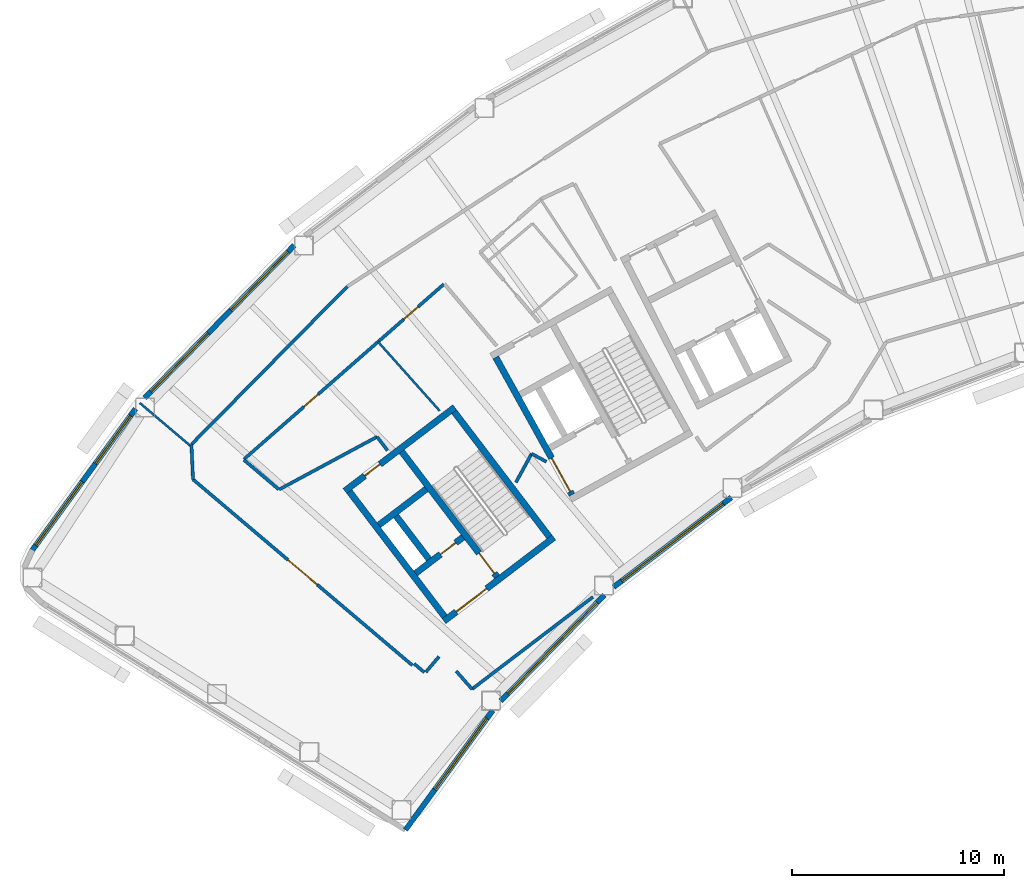
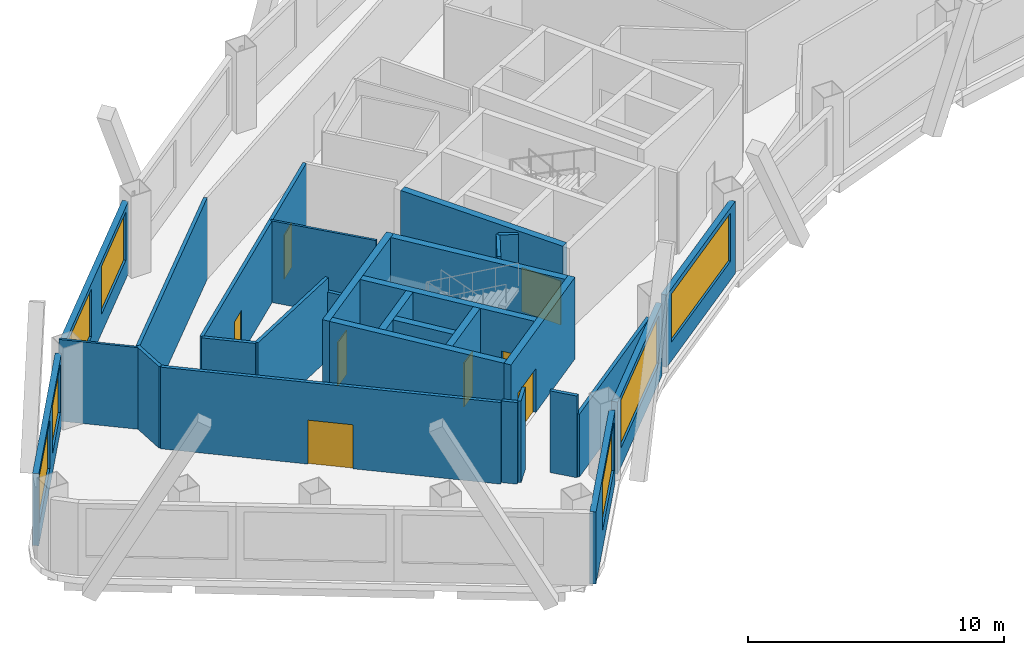
# One storey, part 5 of 15: 29 walls, 8 doors, 7 windows, 15 openings.
"""IFC4 building model written with IfcOpenShell, lengths in metres."""

from ifc_helpers import new_model, si_unit, direction, frame, frame_2d, origin, place, context, subcontext, project, spatial, rectangle, extrude, material, layer, layer_set, type_object, element, fill, save


model = new_model("IFC4")

# Units and contexts
model_context = context("Model", 3, precision=1e-05, world=origin(), true_north=direction((0.0, 1.0)))
body_context = subcontext(model_context, "Body", "Model", "MODEL_VIEW")
ifc_project = project(units=[si_unit("LENGTHUNIT", "METRE"), si_unit("AREAUNIT", "SQUARE_METRE"), si_unit("VOLUMEUNIT", "CUBIC_METRE"), si_unit("PLANEANGLEUNIT", "RADIAN"), si_unit("MASSUNIT", "GRAM", prefix="KILO")], contexts=[model_context])

# Site, building, storey
site_placement = place(None, origin())
site = spatial("IfcSite", under=ifc_project, at=site_placement, CompositionType="ELEMENT")
building_placement = place(site_placement, origin())
building = spatial("IfcBuilding", under=site, at=building_placement, Name="Tuul Gate Civic Tower", CompositionType="ELEMENT")
storey_placement = place(building_placement, frame((0.0, 0.0, 226.300048828125)))
storey = spatial("IfcBuildingStorey", under=building, at=storey_placement, Name="Level 51", CompositionType="ELEMENT", Elevation=226.300048828125)

# Wall, opening, door
ifc_material_1 = material(Name="Concrete C50/60", Category="concrete")
ifc_layer_1 = layer(ifc_material_1, 0.300048828125)
ifc_layer_set_1 = layer_set([ifc_layer_1], Name="Concrete C50/60")
wall_type_1 = type_object("IfcWallType", Name="Core wall C50/60", PredefinedType="SHEAR", material=ifc_layer_set_1)
wall_1_placement = place(storey_placement, frame((-31.19091796875, -13.669677734375, 0.0), z_axis=(0.0, 0.0, 1.0), x_axis=(-0.795606717756, -0.605813461934, 0.0)))
wall_1 = element("IfcWall", 1, at=wall_1_placement, inside=storey, type_object=wall_type_1, Name="Core wall", PredefinedType="SHEAR", context=body_context, shape_type="SweptSolid", body=[
    extrude(rectangle(XDim=6.5, YDim=0.300048828125, at=frame_2d((3.25, 0.0))), origin(), (0.0, 0.0, 1.0), 3.89990234375),
])
opening_1_placement = place(wall_1_placement, frame((3.97509765625, 0.0, 0.0)))
opening_1 = element("IfcOpeningElement", 2, at=opening_1_placement, cuts=wall_1, Name="Opening LB-W1-LOBBY-1", PredefinedType="OPENING", context=body_context, shape_type="SweptSolid", body=[
    extrude(rectangle(XDim=1.800048828125, YDim=2.10009765625, at=frame_2d((0.89990234375, 1.050048828125))), frame((0.0, 0.16015625, 0.0), z_axis=(0.0, -1.0, 0.0), x_axis=(1.0, 0.0, 0.0)), (0.0, 0.0, 1.0), 0.320068359375),
])
ifc_material_2 = material(Name="Steel", Category="steel")
door_type_1 = type_object("IfcDoorType", Name="Lobby door", OperationType="DOUBLE_DOOR_SINGLE_SWING", PredefinedType="DOOR", material=ifc_material_2)
door_1_placement = place(opening_1_placement, origin())
door_1 = element("IfcDoor", 3, at=door_1_placement, inside=storey, type_object=door_type_1, Name="Lobby door W1-LOBBY", OperationType="DOUBLE_DOOR_SINGLE_SWING", OverallHeight=2.10009765625, OverallWidth=1.800048828125, PredefinedType="DOOR", context=body_context, shape_type="SweptSolid", body=[
    extrude(rectangle(XDim=1.800048828125, YDim=2.10009765625, at=frame_2d((0.89990234375, 1.050048828125))), frame((0.0, 0.02490234375, 0.0), z_axis=(0.0, -1.0, 0.0), x_axis=(1.0, 0.0, 0.0)), (0.0, 0.0, 1.0), 0.050048828125),
])
fill(opening_1, door_1)

wall_2_placement = place(storey_placement, frame((-35.470947265625, -13.66064453125, 0.0), z_axis=(0.0, 0.0, 1.0), x_axis=(-0.795615822227, -0.605801504968, 0.0)))
wall_2 = element("IfcWall", 4, at=wall_2_placement, inside=storey, type_object=wall_type_1, Name="Core wall", PredefinedType="SHEAR", context=body_context, shape_type="SweptSolid", body=[
    extrude(rectangle(XDim=2.800048828125, YDim=0.300048828125, at=frame_2d((1.39990234375, 0.0))), origin(), (0.0, 0.0, 1.0), 3.89990234375),
])
opening_2_placement = place(wall_2_placement, frame((0.425048828125, 0.0, 0.0)))
opening_2 = element("IfcOpeningElement", 5, at=opening_2_placement, cuts=wall_2, Name="Opening FB-W1A1", PredefinedType="OPENING", context=body_context, shape_type="SweptSolid", body=[
    extrude(rectangle(XDim=0.89990234375, YDim=2.10009765625, at=frame_2d((0.449951171875, 1.050048828125))), frame((0.0, 0.16015625, 0.0), z_axis=(0.0, -1.0, 0.0), x_axis=(1.0, 0.0, 0.0)), (0.0, 0.0, 1.0), 0.320068359375),
])
ifc_material_3 = material(Name="Steel", Category="steel")
door_type_2 = type_object("IfcDoorType", Name="Store door", OperationType="NOTDEFINED", PredefinedType="DOOR", material=ifc_material_3)
door_2_placement = place(opening_2_placement, frame((0.89990234375, 0.0, 0.0), z_axis=(0.0, 0.0, 1.0), x_axis=(-1.0, 0.0, 0.0)))
door_2 = element("IfcDoor", 6, at=door_2_placement, inside=storey, type_object=door_type_2, Name="Store door W1A1", OperationType="SINGLE_SWING_RIGHT", OverallHeight=2.10009765625, OverallWidth=0.89990234375, PredefinedType="DOOR", context=body_context, shape_type="SweptSolid", body=[
    extrude(rectangle(XDim=0.89990234375, YDim=2.10009765625, at=frame_2d((0.449951171875, 1.050048828125))), frame((0.0, 0.02490234375, 0.0), z_axis=(0.0, -1.0, 0.0), x_axis=(1.0, 0.0, 0.0)), (0.0, 0.0, 1.0), 0.050048828125),
])
fill(opening_2, door_2)

# Wall
wall_3_placement = place(storey_placement, frame((-37.197509765625, -11.39306640625, 0.0), z_axis=(0.0, 0.0, 1.0), x_axis=(-0.795583820278, -0.605843531707, 0.0)))
element("IfcWall", 7, at=wall_3_placement, inside=storey, type_object=wall_type_1, Name="Core wall", PredefinedType="SHEAR", context=body_context, shape_type="SweptSolid", body=[
    extrude(rectangle(XDim=2.7998046875, YDim=0.300048828125, at=frame_2d((1.39990234375, 0.0))), origin(), (0.0, 0.0, 1.0), 3.89990234375),
])

# Wall, opening, door
wall_4_placement = place(storey_placement, frame((-35.855224609375, -7.543212890625, 0.0), z_axis=(0.0, 0.0, 1.0), x_axis=(-0.79563860527, -0.605771582202, 0.0)))
wall_4 = element("IfcWall", 8, at=wall_4_placement, inside=storey, type_object=wall_type_1, Name="Core wall", PredefinedType="SHEAR", context=body_context, shape_type="SweptSolid", body=[
    extrude(rectangle(XDim=6.5, YDim=0.300048828125, at=frame_2d((3.25, 0.0))), origin(), (0.0, 0.0, 1.0), 3.89990234375),
])
opening_3_placement = place(wall_4_placement, frame((4.425048828125, 0.0, 0.0)))
opening_3 = element("IfcOpeningElement", 9, at=opening_3_placement, cuts=wall_4, Name="Opening R-D43", PredefinedType="OPENING", context=body_context, shape_type="SweptSolid", body=[
    extrude(rectangle(XDim=0.89990234375, YDim=2.10009765625, at=frame_2d((0.449951171875, 1.050048828125))), frame((0.0, 0.16015625, 0.0), z_axis=(0.0, -1.0, 0.0), x_axis=(1.0, 0.0, 0.0)), (0.0, 0.0, 1.0), 0.320068359375),
])
ifc_material_4 = material(Name="Timber door leaf", Category="wood")
door_type_3 = type_object("IfcDoorType", Name="Door D09", OperationType="NOTDEFINED", PredefinedType="DOOR", material=ifc_material_4)
door_3_placement = place(opening_3_placement, origin())
door_3 = element("IfcDoor", 10, at=door_3_placement, inside=storey, type_object=door_type_3, Name="Door R-D43", OperationType="SINGLE_SWING_LEFT", OverallHeight=2.10009765625, OverallWidth=0.89990234375, PredefinedType="DOOR", context=body_context, shape_type="SweptSolid", body=[
    extrude(rectangle(XDim=0.89990234375, YDim=2.10009765625, at=frame_2d((0.449951171875, 1.050048828125))), frame((0.0, 0.02490234375, 0.0), z_axis=(0.0, -1.0, 0.0), x_axis=(1.0, 0.0, 0.0)), (0.0, 0.0, 1.0), 0.050048828125),
])
fill(opening_3, door_3)

# Wall
wall_5_placement = place(storey_placement, frame((-31.401123046875, -13.64111328125, 0.0), z_axis=(0.0, 0.0, 1.0), x_axis=(-0.605769822278, 0.795639945213, 0.0)))
element("IfcWall", 11, at=wall_5_placement, inside=storey, type_object=wall_type_1, Name="Core wall", PredefinedType="SHEAR", context=body_context, shape_type="SweptSolid", body=[
    extrude(rectangle(XDim=7.39990234375, YDim=0.300048828125, at=frame_2d((3.699951171875, 0.0))), origin(), (0.0, 0.0, 1.0), 3.89990234375),
])

# Wall, opening, door
wall_6_placement = place(storey_placement, frame((-33.867431640625, -15.51904296875, 0.0), z_axis=(0.0, 0.0, 1.0), x_axis=(-0.605769822278, 0.795639945213, 0.0)))
wall_6 = element("IfcWall", 12, at=wall_6_placement, inside=storey, type_object=wall_type_1, Name="Core wall", PredefinedType="SHEAR", context=body_context, shape_type="SweptSolid", body=[
    extrude(rectangle(XDim=7.39990234375, YDim=0.300048828125, at=frame_2d((3.699951171875, 0.0))), origin(), (0.0, 0.0, 1.0), 3.89990234375),
])
opening_4_placement = place(wall_6_placement, frame((0.199951171875, 0.0, 0.0)))
opening_4 = element("IfcOpeningElement", 13, at=opening_4_placement, cuts=wall_6, Name="Opening SD-ST-1", PredefinedType="OPENING", context=body_context, shape_type="SweptSolid", body=[
    extrude(rectangle(XDim=1.199951171875, YDim=2.10009765625, at=frame_2d((0.60009765625, 1.050048828125))), frame((0.0, 0.16015625, 0.0), z_axis=(0.0, -1.0, 0.0), x_axis=(1.0, 0.0, 0.0)), (0.0, 0.0, 1.0), 0.320068359375),
])
ifc_material_5 = material(Name="Steel", Category="steel")
door_type_4 = type_object("IfcDoorType", Name="Stair door", OperationType="NOTDEFINED", PredefinedType="DOOR", material=ifc_material_5)
door_4_placement = place(opening_4_placement, origin())
door_4 = element("IfcDoor", 14, at=door_4_placement, inside=storey, type_object=door_type_4, Name="Stair door ST-1", OperationType="SINGLE_SWING_LEFT", OverallHeight=2.10009765625, OverallWidth=1.199951171875, PredefinedType="DOOR", context=body_context, shape_type="SweptSolid", body=[
    extrude(rectangle(XDim=1.199951171875, YDim=2.10009765625, at=frame_2d((0.60009765625, 1.050048828125))), frame((0.0, 0.02490234375, 0.0), z_axis=(0.0, -1.0, 0.0), x_axis=(1.0, 0.0, 0.0)), (0.0, 0.0, 1.0), 0.050048828125),
])
fill(opening_4, door_4)

# Walls
wall_7_placement = place(storey_placement, frame((-37.073486328125, -14.6923828125, 0.0), z_axis=(0.0, 0.0, 1.0), x_axis=(-0.605728760074, 0.79567120673, 0.0)))
element("IfcWall", 15, at=wall_7_placement, inside=storey, type_object=wall_type_1, Name="Core wall", PredefinedType="SHEAR", context=body_context, shape_type="SweptSolid", body=[
    extrude(rectangle(XDim=2.550048828125, YDim=0.300048828125, at=frame_2d((1.27490234375, 0.0))), origin(), (0.0, 0.0, 1.0), 3.89990234375),
])
wall_8_placement = place(storey_placement, frame((-36.333984375, -17.397216796875, 0.0), z_axis=(0.0, 0.0, 1.0), x_axis=(-0.605753921168, 0.795652051458, 0.0)))
element("IfcWall", 16, at=wall_8_placement, inside=storey, type_object=wall_type_1, Name="Core wall", PredefinedType="SHEAR", context=body_context, shape_type="SweptSolid", body=[
    extrude(rectangle(XDim=7.400146484375, YDim=0.300048828125, at=frame_2d((3.7001953125, 0.0))), origin(), (0.0, 0.0, 1.0), 3.89990234375),
])

# Wall, opening, door
wall_9_placement = place(storey_placement, frame((-30.33837890625, -11.6630859375, 0.0), z_axis=(0.0, 0.0, 1.0), x_axis=(-0.484751894226, 0.874651702704, 0.0)))
wall_9 = element("IfcWall", 17, at=wall_9_placement, inside=storey, type_object=wall_type_1, Name="Core wall", PredefinedType="SHEAR", context=body_context, shape_type="SweptSolid", body=[
    extrude(rectangle(XDim=7.39990234375, YDim=0.300048828125, at=frame_2d((3.699951171875, 0.0))), origin(), (0.0, 0.0, 1.0), 3.89990234375),
])
opening_5_placement = place(wall_9_placement, frame((0.175048828125, 0.0, 0.0)))
opening_5 = element("IfcOpeningElement", 18, at=opening_5_placement, cuts=wall_9, Name="Opening LB-W2-FLOBBY-1", PredefinedType="OPENING", context=body_context, shape_type="SweptSolid", body=[
    extrude(rectangle(XDim=1.800048828125, YDim=2.10009765625, at=frame_2d((0.89990234375, 1.050048828125))), frame((0.0, 0.16015625, 0.0), z_axis=(0.0, -1.0, 0.0), x_axis=(1.0, 0.0, 0.0)), (0.0, 0.0, 1.0), 0.320068359375),
])
door_5_placement = place(opening_5_placement, frame((1.800048828125, 0.0, 0.0), z_axis=(0.0, 0.0, 1.0), x_axis=(-1.0, 0.0, 0.0)))
door_5 = element("IfcDoor", 19, at=door_5_placement, inside=storey, type_object=door_type_1, Name="Lobby door W2-FLOBBY", OperationType="DOUBLE_DOOR_SINGLE_SWING", OverallHeight=2.10009765625, OverallWidth=1.800048828125, PredefinedType="DOOR", context=body_context, shape_type="SweptSolid", body=[
    extrude(rectangle(XDim=1.800048828125, YDim=2.10009765625, at=frame_2d((0.900146484375, 1.050048828125))), frame((0.0, 0.02490234375, 0.0), z_axis=(0.0, -1.0, 0.0), x_axis=(1.0, 0.0, 0.0)), (0.0, 0.0, 1.0), 0.050048828125),
])
fill(opening_5, door_5)

# Walls
ifc_material_6 = material(Name="Gypsum board partition")
ifc_layer_2 = layer(ifc_material_6, 0.14990234375)
ifc_layer_set_2 = layer_set([ifc_layer_2], Name="Gypsum board partition")
wall_type_2 = type_object("IfcWallType", Name="Corridor wall P150", PredefinedType="PARTITIONING", material=ifc_layer_set_2)
wall_10_placement = place(storey_placement, frame((-48.25, -9.288330078125, 0.0), z_axis=(0.0, 0.0, 1.0), x_axis=(0.044380927641, -0.999014681204, 0.0)))
element("IfcWall", 20, at=wall_10_placement, inside=storey, type_object=wall_type_2, Name="p016", PredefinedType="PARTITIONING", context=body_context, shape_type="SweptSolid", body=[
    extrude(rectangle(XDim=1.650390625, YDim=0.14990234375, at=frame_2d((0.8251953125, 0.0))), origin(), (0.0, 0.0, 1.0), 3.89990234375),
])
wall_11_placement = place(storey_placement, frame((-48.25, -9.288330078125, 0.0), z_axis=(0.0, 0.0, 1.0), x_axis=(0.702545510934, 0.711638816442, 0.0)))
element("IfcWall", 21, at=wall_11_placement, inside=storey, type_object=wall_type_2, Name="p017", PredefinedType="PARTITIONING", context=body_context, shape_type="SweptSolid", body=[
    extrude(rectangle(XDim=10.444091796875, YDim=0.14990234375, at=frame_2d((5.22216796875, 0.0))), origin(), (0.0, 0.0, 1.0), 3.89990234375),
])

# Wall, opening, door
wall_12_placement = place(storey_placement, frame((-48.1767578125, -10.93701171875, 0.0), z_axis=(0.0, 0.0, 1.0), x_axis=(0.762830456402, -0.646598557673, 0.0)))
wall_12 = element("IfcWall", 22, at=wall_12_placement, inside=storey, type_object=wall_type_2, Name="p018", PredefinedType="PARTITIONING", context=body_context, shape_type="SweptSolid", body=[
    extrude(rectangle(XDim=13.535400390625, YDim=0.14990234375, at=frame_2d((6.767578125, 0.0))), origin(), (0.0, 0.0, 1.0), 3.89990234375),
])
opening_6_placement = place(wall_12_placement, frame((5.86767578125, 0.0, 0.0)))
opening_6 = element("IfcOpeningElement", 23, at=opening_6_placement, cuts=wall_12, Name="Opening R-D06", PredefinedType="OPENING", context=body_context, shape_type="SweptSolid", body=[
    extrude(rectangle(XDim=1.800048828125, YDim=2.10009765625, at=frame_2d((0.89990234375, 1.050048828125))), frame((0.0, 0.0849609375, 0.0), z_axis=(0.0, -1.0, 0.0), x_axis=(1.0, 0.0, 0.0)), (0.0, 0.0, 1.0), 0.169921875),
])
ifc_material_7 = material(Name="Timber door leaf, double", Category="wood")
door_type_5 = type_object("IfcDoorType", Name="Door D18", OperationType="DOUBLE_DOOR_SINGLE_SWING", PredefinedType="DOOR", material=ifc_material_7)
door_6_placement = place(opening_6_placement, frame((1.800048828125, 0.0, 0.0), z_axis=(0.0, 0.0, 1.0), x_axis=(-1.0, 0.0, 0.0)))
door_6 = element("IfcDoor", 24, at=door_6_placement, inside=storey, type_object=door_type_5, Name="Door R-D06", OperationType="DOUBLE_DOOR_SINGLE_SWING", OverallHeight=2.10009765625, OverallWidth=1.800048828125, PredefinedType="DOOR", context=body_context, shape_type="SweptSolid", body=[
    extrude(rectangle(XDim=1.800048828125, YDim=2.10009765625, at=frame_2d((0.900146484375, 1.050048828125))), frame((0.0, 0.02490234375, 0.0), z_axis=(0.0, -1.0, 0.0), x_axis=(1.0, 0.0, 0.0)), (0.0, 0.0, 1.0), 0.050048828125),
])
fill(opening_6, door_6)

# Walls
wall_13_placement = place(storey_placement, frame((-37.766845703125, -19.61376953125, 0.0), z_axis=(0.0, 0.0, 1.0), x_axis=(0.763430719957, -0.645889724199, 0.0)))
element("IfcWall", 25, at=wall_13_placement, inside=storey, type_object=wall_type_2, Name="p019", PredefinedType="PARTITIONING", context=body_context, shape_type="SweptSolid", body=[
    extrude(rectangle(XDim=0.625244140625, YDim=0.14990234375, at=frame_2d((0.3125, 0.0))), origin(), (0.0, 0.0, 1.0), 3.89990234375),
])
wall_14_placement = place(storey_placement, frame((-37.218994140625, -20.011962890625, 0.0), z_axis=(0.0, 0.0, 1.0), x_axis=(0.646624288819, 0.762808645146, 0.0)))
element("IfcWall", 26, at=wall_14_placement, inside=storey, type_object=wall_type_2, Name="p020", PredefinedType="PARTITIONING", context=body_context, shape_type="SweptSolid", body=[
    extrude(rectangle(XDim=0.96240234375, YDim=0.14990234375, at=frame_2d((0.481201171875, 0.0))), origin(), (0.0, 0.0, 1.0), 3.89990234375),
])
wall_15_placement = place(storey_placement, frame((-35.78564453125, -19.965087890625, 0.0), z_axis=(0.0, 0.0, 1.0), x_axis=(0.661219615112, -0.750192389052, 0.0)))
element("IfcWall", 27, at=wall_15_placement, inside=storey, type_object=wall_type_2, Name="p021", PredefinedType="PARTITIONING", context=body_context, shape_type="SweptSolid", body=[
    extrude(rectangle(XDim=1.125, YDim=0.14990234375, at=frame_2d((0.5625, 0.0))), origin(), (0.0, 0.0, 1.0), 3.89990234375),
])

# Wall, openings, doors
wall_16_placement = place(storey_placement, frame((-45.7783203125, -9.98974609375, 0.0), z_axis=(0.0, 0.0, 1.0), x_axis=(0.752261162007, 0.65886504243, 0.0)))
wall_16 = element("IfcWall", 28, at=wall_16_placement, inside=storey, type_object=wall_type_2, Name="p090", PredefinedType="PARTITIONING", context=body_context, shape_type="SweptSolid", body=[
    extrude(rectangle(XDim=12.513427734375, YDim=0.14990234375, at=frame_2d((6.2568359375, 0.0))), origin(), (0.0, 0.0, 1.0), 3.89990234375),
])
opening_7_placement = place(wall_16_placement, frame((10.002685546875, 0.0, 0.0)))
opening_7 = element("IfcOpeningElement", 29, at=opening_7_placement, cuts=wall_16, Name="Opening R-D36", PredefinedType="OPENING", context=body_context, shape_type="SweptSolid", body=[
    extrude(rectangle(XDim=0.89990234375, YDim=2.10009765625, at=frame_2d((0.449951171875, 1.050048828125))), frame((0.0, 0.0849609375, 0.0), z_axis=(0.0, -1.0, 0.0), x_axis=(1.0, 0.0, 0.0)), (0.0, 0.0, 1.0), 0.169921875),
])
opening_8_placement = place(wall_16_placement, frame((3.745849609375, 0.0, 0.0)))
opening_8 = element("IfcOpeningElement", 30, at=opening_8_placement, cuts=wall_16, Name="Opening R-D37", PredefinedType="OPENING", context=body_context, shape_type="SweptSolid", body=[
    extrude(rectangle(XDim=0.89990234375, YDim=2.10009765625, at=frame_2d((0.449951171875, 1.050048828125))), frame((0.0, 0.0849609375, 0.0), z_axis=(0.0, -1.0, 0.0), x_axis=(1.0, 0.0, 0.0)), (0.0, 0.0, 1.0), 0.169921875),
])
door_7_placement = place(opening_7_placement, frame((0.89990234375, 0.0, 0.0), z_axis=(0.0, 0.0, 1.0), x_axis=(-1.0, 0.0, 0.0)))
door_7 = element("IfcDoor", 31, at=door_7_placement, inside=storey, type_object=door_type_3, Name="Door R-D36", OperationType="SINGLE_SWING_LEFT", OverallHeight=2.10009765625, OverallWidth=0.89990234375, PredefinedType="DOOR", context=body_context, shape_type="SweptSolid", body=[
    extrude(rectangle(XDim=0.89990234375, YDim=2.10009765625, at=frame_2d((0.449951171875, 1.050048828125))), frame((0.0, 0.02490234375, 0.0), z_axis=(0.0, -1.0, 0.0), x_axis=(1.0, 0.0, 0.0)), (0.0, 0.0, 1.0), 0.050048828125),
])
fill(opening_7, door_7)
door_8_placement = place(opening_8_placement, frame((0.89990234375, 0.0, 0.0), z_axis=(0.0, 0.0, 1.0), x_axis=(-1.0, 0.0, 0.0)))
door_8 = element("IfcDoor", 32, at=door_8_placement, inside=storey, type_object=door_type_3, Name="Door R-D37", OperationType="SINGLE_SWING_LEFT", OverallHeight=2.10009765625, OverallWidth=0.89990234375, PredefinedType="DOOR", context=body_context, shape_type="SweptSolid", body=[
    extrude(rectangle(XDim=0.89990234375, YDim=2.10009765625, at=frame_2d((0.449951171875, 1.050048828125))), frame((0.0, 0.02490234375, 0.0), z_axis=(0.0, -1.0, 0.0), x_axis=(1.0, 0.0, 0.0)), (0.0, 0.0, 1.0), 0.050048828125),
])
fill(opening_8, door_8)

# Walls
wall_17_placement = place(storey_placement, frame((-32.236083984375, -9.727294921875, 0.0), z_axis=(0.0, 0.0, 1.0), x_axis=(0.877208093976, -0.480110362169, 0.0)))
element("IfcWall", 33, at=wall_17_placement, inside=storey, type_object=wall_type_2, Name="p103", PredefinedType="PARTITIONING", context=body_context, shape_type="SweptSolid", body=[
    extrude(rectangle(XDim=0.7880859375, YDim=0.14990234375, at=frame_2d((0.39404296875, 0.0))), origin(), (0.0, 0.0, 1.0), 3.89990234375),
])
wall_18_placement = place(storey_placement, frame((-32.9755859375, -11.076904296875, 0.0), z_axis=(0.0, 0.0, 1.0), x_axis=(0.479986062587, 0.87727611373, 0.0)))
element("IfcWall", 34, at=wall_18_placement, inside=storey, type_object=wall_type_2, Name="p104", PredefinedType="PARTITIONING", context=body_context, shape_type="SweptSolid", body=[
    extrude(rectangle(XDim=1.5380859375, YDim=0.14990234375, at=frame_2d((0.76904296875, 0.0))), origin(), (0.0, 0.0, 1.0), 3.89990234375),
])
wall_19_placement = place(storey_placement, frame((-44.117919921875, -11.41064453125, 0.0), z_axis=(0.0, 0.0, 1.0), x_axis=(0.88051006767, 0.474027447235, 0.0)))
element("IfcWall", 35, at=wall_19_placement, inside=storey, type_object=wall_type_2, Name="p106", PredefinedType="PARTITIONING", context=body_context, shape_type="SweptSolid", body=[
    extrude(rectangle(XDim=5.230224609375, YDim=0.14990234375, at=frame_2d((2.615234375, 0.0))), origin(), (0.0, 0.0, 1.0), 3.89990234375),
])
wall_20_placement = place(storey_placement, frame((-45.778076171875, -10.020751953125, 0.0), z_axis=(0.0, 0.0, 1.0), x_axis=(0.762850895928, -0.646574443186, 0.0)))
element("IfcWall", 36, at=wall_20_placement, inside=storey, type_object=wall_type_2, Name="p107", PredefinedType="PARTITIONING", context=body_context, shape_type="SweptSolid", body=[
    extrude(rectangle(XDim=2.145751953125, YDim=0.14990234375, at=frame_2d((1.07275390625, 0.0))), origin(), (0.0, 0.0, 1.0), 3.89990234375),
])
ifc_material_8 = material(Name="Gypsum board partition")
ifc_layer_3 = layer(ifc_material_8, 0.14990234375)
ifc_layer_set_3 = layer_set([ifc_layer_3], Name="Gypsum board partition")
wall_type_3 = type_object("IfcWallType", Name="Corridor wall P150 3000 HIGH", PredefinedType="PARTITIONING", material=ifc_layer_set_3)
wall_21_placement = place(storey_placement, frame((-35.041748046875, -20.80908203125, 0.0), z_axis=(0.0, 0.0, 1.0), x_axis=(0.795339331527, 0.606164456008, 0.0)))
element("IfcWall", 37, at=wall_21_placement, inside=storey, type_object=wall_type_3, Name="p022", PredefinedType="PARTITIONING", context=body_context, shape_type="SweptSolid", body=[
    extrude(rectangle(XDim=7.15869140625, YDim=0.14990234375, at=frame_2d((3.579345703125, 0.0))), origin(), (0.0, 0.0, 1.0), 3.0),
])
ifc_material_9 = material(Name="Gypsum board partition")
ifc_layer_4 = layer(ifc_material_9, 0.14990234375)
ifc_layer_set_4 = layer_set([ifc_layer_4], Name="Gypsum board partition")
wall_type_4 = type_object("IfcWallType", Name="Corridor wall P150 3250 HIGH", PredefinedType="PARTITIONING", material=ifc_layer_set_4)
wall_22_placement = place(storey_placement, frame((-39.51171875, -8.931640625, 0.0), z_axis=(0.0, 0.0, 1.0), x_axis=(0.606061384358, -0.795417876585, 0.0)))
element("IfcWall", 38, at=wall_22_placement, inside=storey, type_object=wall_type_4, Name="p105", PredefinedType="PARTITIONING", context=body_context, shape_type="SweptSolid", body=[
    extrude(rectangle(XDim=0.8095703125, YDim=0.14990234375, at=frame_2d((0.40478515625, 0.0))), origin(), (0.0, 0.0, 1.0), 3.25),
])

# Wall, openings, windows
ifc_material_10 = material(Name="Precast concrete C40/50", Category="concrete")
ifc_layer_5 = layer(ifc_material_10, 0.25)
ifc_layer_set_5 = layer_set([ifc_layer_5], Name="Precast concrete C40/50")
wall_type_5 = type_object("IfcWallType", Name="External wall", PredefinedType="STANDARD", material=ifc_layer_set_5)
wall_23_placement = place(storey_placement, frame((-43.407958984375, 0.079345703125, 0.0), z_axis=(0.0, 0.0, 1.0), x_axis=(-0.699992252886, -0.714150436463, 0.0)))
wall_23 = element("IfcWall", 39, at=wall_23_placement, inside=storey, type_object=wall_type_5, Name="External wall", PredefinedType="STANDARD", context=body_context, shape_type="SweptSolid", body=[
    extrude(rectangle(XDim=10.05322265625, YDim=0.25, at=frame_2d((5.026611328125, 0.0))), origin(), (0.0, 0.0, 1.0), 3.449951171875),
])
opening_9_placement = place(wall_23_placement, frame((0.416015625, 0.0, 0.89990234375)))
opening_9 = element("IfcOpeningElement", 40, at=opening_9_placement, cuts=wall_23, Name="Opening W22", PredefinedType="OPENING", context=body_context, shape_type="SweptSolid", body=[
    extrude(rectangle(XDim=3.85009765625, YDim=2.300048828125, at=frame_2d((1.925048828125, 1.14990234375))), frame((0.0, 0.135009765625, 0.0), z_axis=(0.0, -1.0, 0.0), x_axis=(1.0, 0.0, 0.0)), (0.0, 0.0, 1.0), 0.27001953125),
])
opening_10_placement = place(wall_23_placement, frame((5.78759765625, 0.0, 0.89990234375)))
opening_10 = element("IfcOpeningElement", 41, at=opening_10_placement, cuts=wall_23, Name="Opening W22", PredefinedType="OPENING", context=body_context, shape_type="SweptSolid", body=[
    extrude(rectangle(XDim=3.85009765625, YDim=2.300048828125, at=frame_2d((1.925048828125, 1.14990234375))), frame((0.0, 0.135009765625, 0.0), z_axis=(0.0, -1.0, 0.0), x_axis=(1.0, 0.0, 0.0)), (0.0, 0.0, 1.0), 0.27001953125),
])
ifc_material_11 = material(Name="Glass", Category="glass")
window_type_1 = type_object("IfcWindowType", Name="Window W22 3850 x 2300", PartitioningType="SINGLE_PANEL", PredefinedType="WINDOW", material=ifc_material_11)
window_1_placement = place(opening_9_placement, origin())
window_1 = element("IfcWindow", 42, at=window_1_placement, inside=storey, type_object=window_type_1, Name="Window", OverallHeight=2.300048828125, OverallWidth=3.85009765625, PartitioningType="SINGLE_PANEL", PredefinedType="WINDOW", context=body_context, shape_type="SweptSolid", body=[
    extrude(rectangle(XDim=3.85009765625, YDim=2.300048828125, at=frame_2d((1.925048828125, 1.14990234375))), frame((0.0, 0.030029296875, 0.0), z_axis=(0.0, -1.0, 0.0), x_axis=(1.0, 0.0, 0.0)), (0.0, 0.0, 1.0), 0.06005859375),
])
fill(opening_9, window_1)
window_2_placement = place(opening_10_placement, origin())
window_2 = element("IfcWindow", 43, at=window_2_placement, inside=storey, type_object=window_type_1, Name="Window", OverallHeight=2.300048828125, OverallWidth=3.85009765625, PartitioningType="SINGLE_PANEL", PredefinedType="WINDOW", context=body_context, shape_type="SweptSolid", body=[
    extrude(rectangle(XDim=3.85009765625, YDim=2.300048828125, at=frame_2d((1.925048828125, 1.14990234375))), frame((0.0, 0.030029296875, 0.0), z_axis=(0.0, -1.0, 0.0), x_axis=(1.0, 0.0, 0.0)), (0.0, 0.0, 1.0), 0.06005859375),
])
fill(opening_10, window_2)

wall_24_placement = place(storey_placement, frame((-50.882080078125, -7.615966796875, 0.0), z_axis=(0.0, 0.0, 1.0), x_axis=(-0.589874908102, -0.807494639482, 0.0)))
wall_24 = element("IfcWall", 44, at=wall_24_placement, inside=storey, type_object=wall_type_5, Name="External wall", PredefinedType="STANDARD", context=body_context, shape_type="SweptSolid", body=[
    extrude(rectangle(XDim=8.25244140625, YDim=0.25, at=frame_2d((4.126220703125, 0.0))), origin(), (0.0, 0.0, 1.0), 3.449951171875),
])
opening_11_placement = place(wall_24_placement, frame((0.39990234375, 0.0, 0.89990234375)))
opening_11 = element("IfcOpeningElement", 45, at=opening_11_placement, cuts=wall_24, Name="Opening W23", PredefinedType="OPENING", context=body_context, shape_type="SweptSolid", body=[
    extrude(rectangle(XDim=2.800048828125, YDim=2.300048828125, at=frame_2d((1.39990234375, 1.14990234375))), frame((0.0, 0.135009765625, 0.0), z_axis=(0.0, -1.0, 0.0), x_axis=(1.0, 0.0, 0.0)), (0.0, 0.0, 1.0), 0.27001953125),
])
opening_12_placement = place(wall_24_placement, frame((4.251708984375, 0.0, 0.89990234375)))
opening_12 = element("IfcOpeningElement", 46, at=opening_12_placement, cuts=wall_24, Name="Opening W21", PredefinedType="OPENING", context=body_context, shape_type="SweptSolid", body=[
    extrude(rectangle(XDim=3.699951171875, YDim=2.300048828125, at=frame_2d((1.85009765625, 1.14990234375))), frame((0.0, 0.135009765625, 0.0), z_axis=(0.0, -1.0, 0.0), x_axis=(1.0, 0.0, 0.0)), (0.0, 0.0, 1.0), 0.27001953125),
])
ifc_material_12 = material(Name="Glass", Category="glass")
window_type_2 = type_object("IfcWindowType", Name="Window W21 3700 x 2300", PartitioningType="SINGLE_PANEL", PredefinedType="WINDOW", material=ifc_material_12)
window_3_placement = place(opening_12_placement, origin())
window_3 = element("IfcWindow", 47, at=window_3_placement, inside=storey, type_object=window_type_2, Name="Window", OverallHeight=2.300048828125, OverallWidth=3.699951171875, PartitioningType="SINGLE_PANEL", PredefinedType="WINDOW", context=body_context, shape_type="SweptSolid", body=[
    extrude(rectangle(XDim=3.699951171875, YDim=2.300048828125, at=frame_2d((1.85009765625, 1.14990234375))), frame((0.0, 0.030029296875, 0.0), z_axis=(0.0, -1.0, 0.0), x_axis=(1.0, 0.0, 0.0)), (0.0, 0.0, 1.0), 0.06005859375),
])
fill(opening_12, window_3)
ifc_material_13 = material(Name="Glass", Category="glass")
window_type_3 = type_object("IfcWindowType", Name="Window W23 2800 x 2300", PartitioningType="SINGLE_PANEL", PredefinedType="WINDOW", material=ifc_material_13)
window_4_placement = place(opening_11_placement, origin())
window_4 = element("IfcWindow", 48, at=window_4_placement, inside=storey, type_object=window_type_3, Name="Window", OverallHeight=2.300048828125, OverallWidth=2.800048828125, PartitioningType="SINGLE_PANEL", PredefinedType="WINDOW", context=body_context, shape_type="SweptSolid", body=[
    extrude(rectangle(XDim=2.800048828125, YDim=2.300048828125, at=frame_2d((1.39990234375, 1.14990234375))), frame((0.0, 0.030029296875, 0.0), z_axis=(0.0, -1.0, 0.0), x_axis=(1.0, 0.0, 0.0)), (0.0, 0.0, 1.0), 0.06005859375),
])
fill(opening_11, window_4)

# Wall, opening, window
wall_25_placement = place(storey_placement, frame((-38.179931640625, -27.439208984375, 0.0), z_axis=(0.0, 0.0, 1.0), x_axis=(0.589873478547, 0.80749568377, 0.0)))
wall_25 = element("IfcWall", 49, at=wall_25_placement, inside=storey, type_object=wall_type_5, Name="External wall", PredefinedType="STANDARD", context=body_context, shape_type="SweptSolid", body=[
    extrude(rectangle(XDim=6.972412109375, YDim=0.25, at=frame_2d((3.486328125, 0.0))), origin(), (0.0, 0.0, 1.0), 3.449951171875),
])
opening_13_placement = place(wall_25_placement, frame((2.356689453125, 0.0, 0.89990234375)))
opening_13 = element("IfcOpeningElement", 50, at=opening_13_placement, cuts=wall_25, Name="Opening W25", PredefinedType="OPENING", context=body_context, shape_type="SweptSolid", body=[
    extrude(rectangle(XDim=4.14990234375, YDim=2.300048828125, at=frame_2d((2.074951171875, 1.14990234375))), frame((0.0, 0.135009765625, 0.0), z_axis=(0.0, -1.0, 0.0), x_axis=(1.0, 0.0, 0.0)), (0.0, 0.0, 1.0), 0.27001953125),
])
ifc_material_14 = material(Name="Glass", Category="glass")
window_type_4 = type_object("IfcWindowType", Name="Window W25 4150 x 2300", PartitioningType="SINGLE_PANEL", PredefinedType="WINDOW", material=ifc_material_14)
window_5_placement = place(opening_13_placement, origin())
window_5 = element("IfcWindow", 51, at=window_5_placement, inside=storey, type_object=window_type_4, Name="Window", OverallHeight=2.300048828125, OverallWidth=4.14990234375, PartitioningType="SINGLE_PANEL", PredefinedType="WINDOW", context=body_context, shape_type="SweptSolid", body=[
    extrude(rectangle(XDim=4.14990234375, YDim=2.300048828125, at=frame_2d((2.074951171875, 1.14990234375))), frame((0.0, 0.030029296875, 0.0), z_axis=(0.0, -1.0, 0.0), x_axis=(1.0, 0.0, 0.0)), (0.0, 0.0, 1.0), 0.06005859375),
])
fill(opening_13, window_5)

wall_26_placement = place(storey_placement, frame((-33.69091796875, -21.3642578125, 0.0), z_axis=(0.0, 0.0, 1.0), x_axis=(0.700029726531, 0.714113703813, 0.0)))
wall_26 = element("IfcWall", 52, at=wall_26_placement, inside=storey, type_object=wall_type_5, Name="External wall", PredefinedType="STANDARD", context=body_context, shape_type="SweptSolid", body=[
    extrude(rectangle(XDim=6.968505859375, YDim=0.25, at=frame_2d((3.484375, 0.0))), origin(), (0.0, 0.0, 1.0), 3.449951171875),
])
opening_14_placement = place(wall_26_placement, frame((0.484375, 0.0, 0.89990234375)))
opening_14 = element("IfcOpeningElement", 53, at=opening_14_placement, cuts=wall_26, Name="Opening W26", PredefinedType="OPENING", context=body_context, shape_type="SweptSolid", body=[
    extrude(rectangle(XDim=6.0, YDim=2.300048828125, at=frame_2d((3.0, 1.14990234375))), frame((0.0, 0.135009765625, 0.0), z_axis=(0.0, -1.0, 0.0), x_axis=(1.0, 0.0, 0.0)), (0.0, 0.0, 1.0), 0.27001953125),
])
ifc_material_15 = material(Name="Glass", Category="glass")
window_type_5 = type_object("IfcWindowType", Name="Window W26 6000 x 2300", PartitioningType="SINGLE_PANEL", PredefinedType="WINDOW", material=ifc_material_15)
window_6_placement = place(opening_14_placement, origin())
window_6 = element("IfcWindow", 54, at=window_6_placement, inside=storey, type_object=window_type_5, Name="Window", OverallHeight=2.300048828125, OverallWidth=6.0, PartitioningType="SINGLE_PANEL", PredefinedType="WINDOW", context=body_context, shape_type="SweptSolid", body=[
    extrude(rectangle(XDim=6.0, YDim=2.300048828125, at=frame_2d((3.0, 1.14990234375))), frame((0.0, 0.030029296875, 0.0), z_axis=(0.0, -1.0, 0.0), x_axis=(1.0, 0.0, 0.0)), (0.0, 0.0, 1.0), 0.06005859375),
])
fill(opening_14, window_6)

wall_27_placement = place(storey_placement, frame((-28.376953125, -16.00390625, 0.0), z_axis=(0.0, 0.0, 1.0), x_axis=(0.79557348273, 0.605857106566, 0.0)))
wall_27 = element("IfcWall", 55, at=wall_27_placement, inside=storey, type_object=wall_type_5, Name="External wall", PredefinedType="STANDARD", context=body_context, shape_type="SweptSolid", body=[
    extrude(rectangle(XDim=6.956787109375, YDim=0.25, at=frame_2d((3.478515625, 0.0))), origin(), (0.0, 0.0, 1.0), 3.449951171875),
])
opening_15_placement = place(wall_27_placement, frame((0.478271484375, 0.0, 0.89990234375)))
opening_15 = element("IfcOpeningElement", 56, at=opening_15_placement, cuts=wall_27, Name="Opening W26", PredefinedType="OPENING", context=body_context, shape_type="SweptSolid", body=[
    extrude(rectangle(XDim=6.0, YDim=2.300048828125, at=frame_2d((3.0, 1.14990234375))), frame((0.0, 0.135009765625, 0.0), z_axis=(0.0, -1.0, 0.0), x_axis=(1.0, 0.0, 0.0)), (0.0, 0.0, 1.0), 0.27001953125),
])
window_7_placement = place(opening_15_placement, origin())
window_7 = element("IfcWindow", 57, at=window_7_placement, inside=storey, type_object=window_type_5, Name="Window", OverallHeight=2.300048828125, OverallWidth=6.0, PartitioningType="SINGLE_PANEL", PredefinedType="WINDOW", context=body_context, shape_type="SweptSolid", body=[
    extrude(rectangle(XDim=6.0, YDim=2.300048828125, at=frame_2d((3.0, 1.14990234375))), frame((0.0, 0.030029296875, 0.0), z_axis=(0.0, -1.0, 0.0), x_axis=(1.0, 0.0, 0.0)), (0.0, 0.0, 1.0), 0.06005859375),
])
fill(opening_15, window_7)

# Walls
ifc_material_16 = material(Name="Gypsum board partition")
ifc_layer_6 = layer(ifc_material_16, 0.10009765625)
ifc_layer_set_6 = layer_set([ifc_layer_6], Name="Gypsum board partition")
wall_type_6 = type_object("IfcWallType", Name="Partition P100", PredefinedType="PARTITIONING", material=ifc_layer_set_6)
wall_28_placement = place(storey_placement, frame((-50.68408203125, -7.3369140625, 0.0), z_axis=(0.0, 0.0, 1.0), x_axis=(0.762818363758, -0.646612823808, 0.0)))
element("IfcWall", 58, at=wall_28_placement, inside=storey, type_object=wall_type_6, Name="p015", PredefinedType="PARTITIONING", context=body_context, shape_type="SweptSolid", body=[
    extrude(rectangle(XDim=3.197509765625, YDim=0.10009765625, at=frame_2d((1.5986328125, 0.0))), origin(), (0.0, 0.0, 1.0), 3.89990234375),
])
wall_29_placement = place(storey_placement, frame((-39.465576171875, -4.460693359375, 0.0), z_axis=(0.0, 0.0, 1.0), x_axis=(0.665897620158, -0.746043135125, 0.0)))
element("IfcWall", 59, at=wall_29_placement, inside=storey, type_object=wall_type_6, Name="p101", PredefinedType="PARTITIONING", context=body_context, shape_type="SweptSolid", body=[
    extrude(rectangle(XDim=4.35302734375, YDim=0.10009765625, at=frame_2d((2.176513671875, 0.0))), origin(), (0.0, 0.0, 1.0), 3.89990234375),
])

save(model, "model.ifc")
